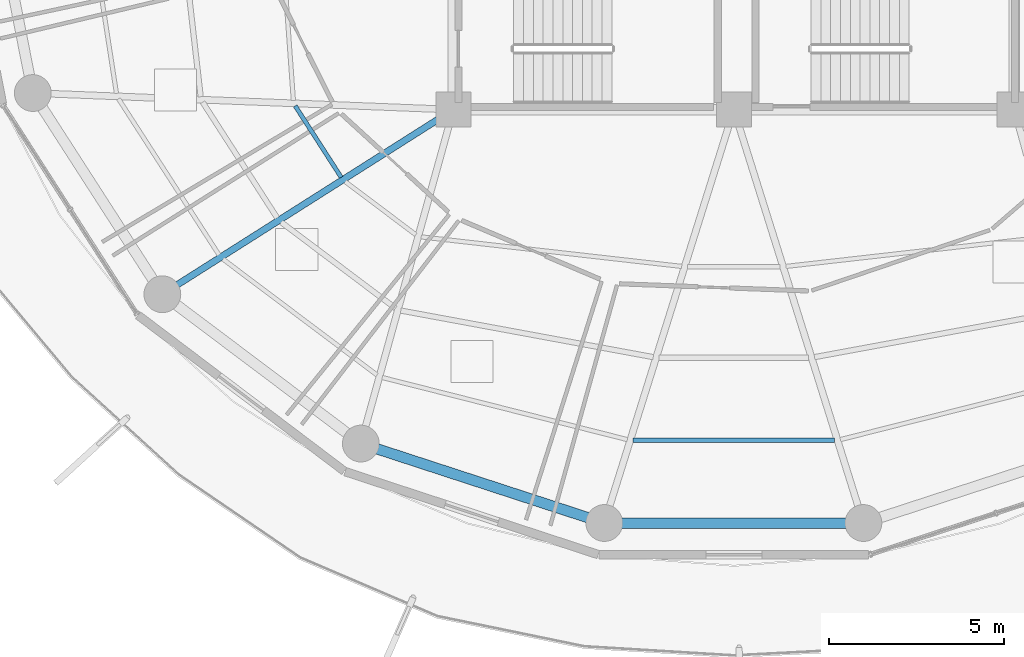
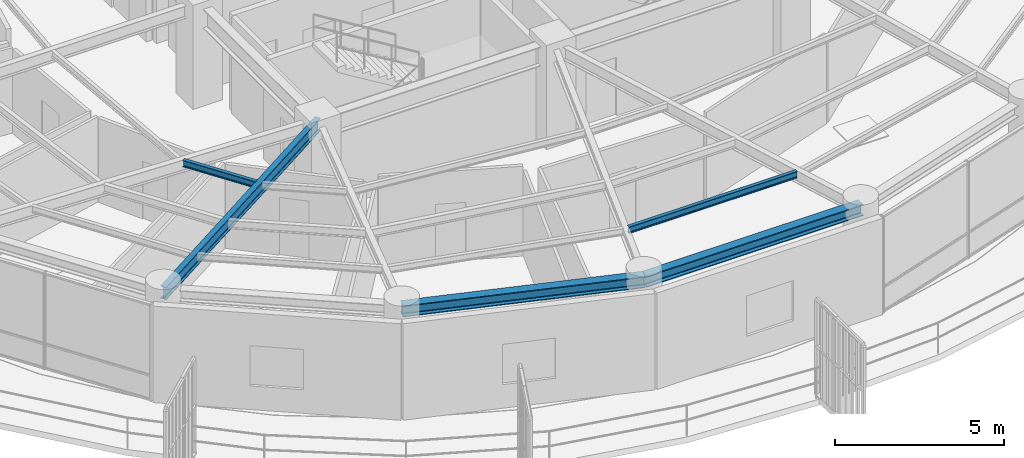
# One storey, part 3 of 31: 5 beams.
"""IFC4 building model written with IfcOpenShell, lengths in metres."""

from ifc_helpers import new_model, si_unit, direction, frame, origin, origin_2d, place, context, subcontext, project, spatial, i_section, extrude, material, material_profile, profile_set, type_object, element, save


model = new_model("IFC4")

# Units and contexts
model_context = context("Model", 3, precision=1e-05, world=origin(), true_north=direction((0.0, 1.0)))
body_context = subcontext(model_context, "Body", "Model", "MODEL_VIEW")
ifc_project = project(units=[si_unit("LENGTHUNIT", "METRE"), si_unit("AREAUNIT", "SQUARE_METRE"), si_unit("VOLUMEUNIT", "CUBIC_METRE"), si_unit("PLANEANGLEUNIT", "RADIAN"), si_unit("MASSUNIT", "GRAM", prefix="KILO")], contexts=[model_context])

# Site, building, storey
site_placement = place(None, origin())
site = spatial("IfcSite", under=ifc_project, at=site_placement, CompositionType="ELEMENT")
building_placement = place(site_placement, origin())
building = spatial("IfcBuilding", under=site, at=building_placement, Name="Kelanora Arch Commons", CompositionType="ELEMENT")
storey_placement = place(building_placement, frame((0.0, 0.0, 219.449951171875)))
storey = spatial("IfcBuildingStorey", under=building, at=storey_placement, Name="L56", CompositionType="ELEMENT", Elevation=219.449951171875)

# Beams
ifc_material = material(Name="Steel S355", Category="steel")
ifc_material_profile_1 = material_profile(ifc_material, i_section(OverallWidth=0.1201171875, OverallDepth=0.239990234375, WebThickness=0.006103515625, FlangeThickness=0.009765625, FilletRadius=0.014892578125, at=origin_2d()), Name="IPE240")
ifc_profile_set_1 = profile_set([ifc_material_profile_1], Name="Steel S355")
beam_type_1 = type_object("IfcBeamType", Name="BM-JST-02", PredefinedType="JOIST", material=ifc_profile_set_1)
beam_1_placement = place(storey_placement, frame((61.4873046875, 51.10888671875, 3.3701171875), z_axis=(0.541332763503, -0.840808443796, 0.0), x_axis=(0.840808443796, 0.541332763503, 0.0)))
element("IfcBeam", 1, at=beam_1_placement, inside=storey, type_object=beam_type_1, Name="Secondary Chord Joist BJA-20 L56", PredefinedType="JOIST", context=body_context, shape_type="SweptSolid", body=[
    extrude(i_section(OverallWidth=0.1201171875, OverallDepth=0.239990234375, WebThickness=0.006103515625, FlangeThickness=0.009765625, FilletRadius=0.014892578125, at=origin_2d()), origin(), (0.0, 0.0, 1.0), 2.423583984375),
])
beam_2_placement = place(storey_placement, frame((71.12890625, 41.56787109375, 3.3701171875), z_axis=(1.0, 0.0, 0.0), x_axis=(0.0, 1.0, 0.0)))
element("IfcBeam", 2, at=beam_2_placement, inside=storey, type_object=beam_type_1, Name="Secondary Chord Joist BJC-26 L56", PredefinedType="JOIST", context=body_context, shape_type="SweptSolid", body=[
    extrude(i_section(OverallWidth=0.1201171875, OverallDepth=0.239990234375, WebThickness=0.006103515625, FlangeThickness=0.009765625, FilletRadius=0.014892578125, at=origin_2d()), origin(), (0.0, 0.0, 1.0), 5.7421875),
])
ifc_material_profile_2 = material_profile(ifc_material, i_section(OverallWidth=0.18994140625, OverallDepth=0.449951171875, WebThickness=0.009521484375, FlangeThickness=0.0146484375, FilletRadius=0.02099609375, at=origin_2d()), Name="IPE450")
ifc_profile_set_2 = profile_set([ifc_material_profile_2], Name="Steel S355")
beam_type_2 = type_object("IfcBeamType", Name="BM-RAD-Z4", PredefinedType="BEAM", material=ifc_profile_set_2)
beam_3_placement = place(storey_placement, frame((66.0, 51.0, 3.26513671875), z_axis=(-0.844507208607, -0.535544185489, 0.0), x_axis=(0.535544185489, -0.844507208607, 0.0)))
element("IfcBeam", 3, at=beam_3_placement, inside=storey, type_object=beam_type_2, Name="Radial Floor Girder BR-22 L56", PredefinedType="BEAM", context=body_context, shape_type="SweptSolid", body=[
    extrude(i_section(OverallWidth=0.18994140625, OverallDepth=0.449951171875, WebThickness=0.009521484375, FlangeThickness=0.0146484375, FilletRadius=0.02099609375, at=origin_2d()), origin(), (0.0, 0.0, 1.0), 9.830078125),
])
ifc_material_profile_3 = material_profile(ifc_material, i_section(OverallWidth=0.300048828125, OverallDepth=0.39990234375, WebThickness=0.013427734375, FlangeThickness=0.02392578125, FilletRadius=0.027099609375, at=origin_2d()), Name="HEB400")
ifc_profile_set_3 = profile_set([ifc_material_profile_3], Name="Steel S355")
beam_type_3 = type_object("IfcBeamType", Name="BM-SPN-Z4", PredefinedType="SPANDREL", material=ifc_profile_set_3)
beam_4_placement = place(storey_placement, frame((63.360107421875, 41.476318359375, 3.2900390625), z_axis=(0.950656361143, -0.310245842872, 0.0), x_axis=(0.310245842872, 0.950656361143, 0.0)))
element("IfcBeam", 4, at=beam_4_placement, inside=storey, type_object=beam_type_3, Name="Perimeter Spandrel Beam BS-24 L56", PredefinedType="SPANDREL", context=body_context, shape_type="SweptSolid", body=[
    extrude(i_section(OverallWidth=0.300048828125, OverallDepth=0.39990234375, WebThickness=0.013427734375, FlangeThickness=0.02392578125, FilletRadius=0.027099609375, at=origin_2d()), origin(), (0.0, 0.0, 1.0), 7.304931640625),
])
beam_5_placement = place(storey_placement, frame((70.3046875, 39.2099609375, 3.2900390625), z_axis=(1.0, 0.0, 0.0), x_axis=(0.0, 1.0, 0.0)))
element("IfcBeam", 5, at=beam_5_placement, inside=storey, type_object=beam_type_3, Name="Perimeter Spandrel Beam BS-26 L56", PredefinedType="SPANDREL", context=body_context, shape_type="SweptSolid", body=[
    extrude(i_section(OverallWidth=0.300048828125, OverallDepth=0.39990234375, WebThickness=0.013427734375, FlangeThickness=0.02392578125, FilletRadius=0.027099609375, at=origin_2d()), origin(), (0.0, 0.0, 1.0), 7.390625),
])

save(model, "model.ifc")
